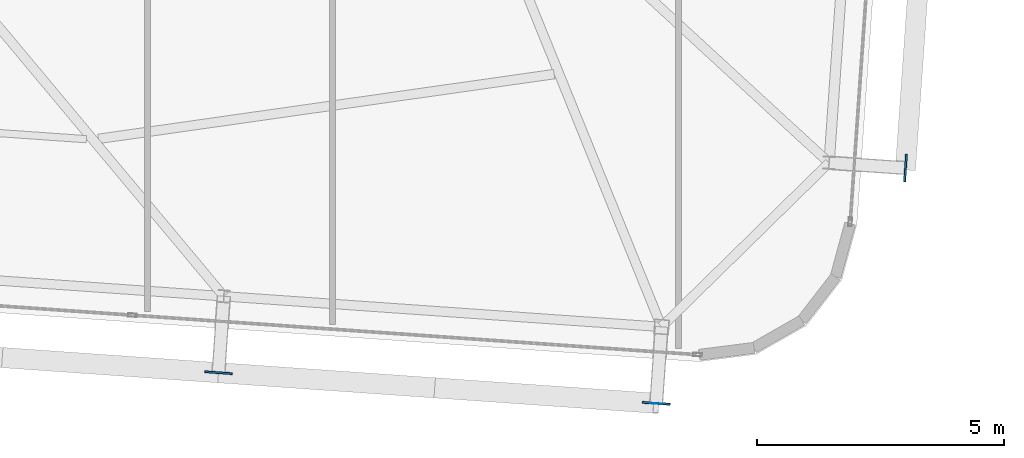
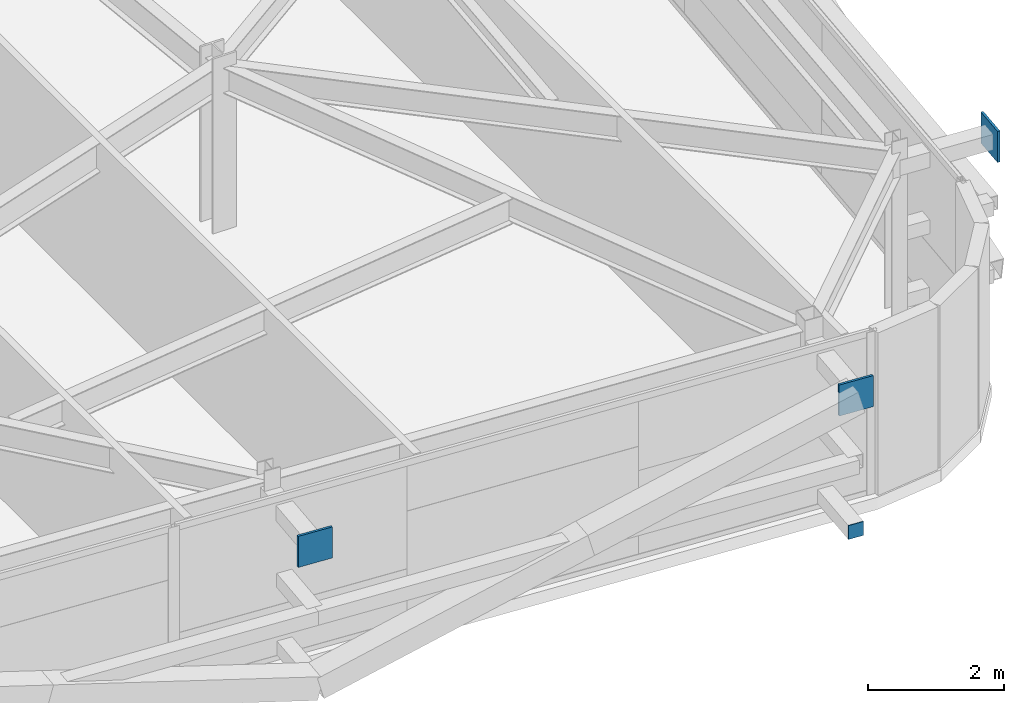
# One storey, part 30 of 39: 4 plates.
"""IFC4 building model written with IfcOpenShell, lengths in metres."""

from ifc_helpers import new_model, si_unit, direction, frame, origin, origin_2d, place, context, subcontext, project, spatial, rectangle, extrude, source, transform, mapped, material, layer, layer_set, type_object, element, save


model = new_model("IFC4")

# Units and contexts
model_context = context("Model", 3, precision=1e-05, world=origin(), true_north=direction((0.0, 1.0)))
body_context = subcontext(model_context, "Body", "Model", "MODEL_VIEW")
ifc_project = project(units=[si_unit("LENGTHUNIT", "METRE"), si_unit("AREAUNIT", "SQUARE_METRE"), si_unit("VOLUMEUNIT", "CUBIC_METRE"), si_unit("PLANEANGLEUNIT", "RADIAN"), si_unit("MASSUNIT", "GRAM", prefix="KILO")], contexts=[model_context])

# Site, building, storey
site_placement = place(None, origin())
site = spatial("IfcSite", under=ifc_project, at=site_placement, CompositionType="ELEMENT")
building_placement = place(site_placement, origin())
building = spatial("IfcBuilding", under=site, at=building_placement, Name="Taldren Reach Tower", CompositionType="ELEMENT")
storey_placement = place(building_placement, frame((0.0, 0.0, 151.89990234375)))
storey = spatial("IfcBuildingStorey", under=building, at=storey_placement, Name="L46", CompositionType="ELEMENT", Elevation=151.89990234375)

# Plates
ifc_material_1 = material(Name="Steel Gr 450 (C450L0)", Category="steel")
ifc_layer_1 = layer(ifc_material_1, 0.0400390625)
ifc_layer_set_1 = layer_set([ifc_layer_1], Name="Steel Gr 450 (C450L0)")
plate_type_1 = type_object("IfcPlateType", Name="PL-GUSSET-40", PredefinedType="SHEET", material=ifc_layer_set_1)
shared_shape_1 = source(origin(), body_context, "Body", "SweptSolid", [
    extrude(rectangle(XDim=0.56005859375, YDim=0.0400390625, at=origin_2d()), origin(), (0.0, 0.0, 1.0), 0.56005859375),
])
for number, where, z_axis, x_axis, name in (
    (1, (47.18896484375, 1.314453125, 2.3701171875), (0.0, 0.0, 1.0), (0.99756405026, -0.069756473744, 0.0), "Exoskeleton star-node gusset plate B3-S5 L46"),
    (2, (56.04736328125, 0.695068359375, 2.3701171875), (0.0, 0.0, 1.0), (0.99756405026, -0.069756473744, 0.0), "Exoskeleton star-node gusset plate B3-S6 L46"),
    (3, (61.091552734375, 5.454833984375, 2.3701171875), (0.0, 0.0, 1.0), (0.069756473744, 0.99756405026, 0.0), "Exoskeleton star-node gusset plate B3-E1 L46"),
):
    element("IfcPlate", number, at=place(storey_placement, frame(where, z_axis=z_axis, x_axis=x_axis)), inside=storey, type_object=plate_type_1, Name=name, PredefinedType="SHEET", context=body_context, shape_type="MappedRepresentation", body=[
        mapped(shared_shape_1, transform((0.0, 0.0, 0.0), scale=1.0)),
    ])
ifc_material_2 = material(Name="Steel Gr 350 (C350L0)", Category="steel")
ifc_layer_2 = layer(ifc_material_2, 0.011962890625)
ifc_layer_set_2 = layer_set([ifc_layer_2], Name="Steel Gr 350 (C350L0)")
plate_type_2 = type_object("IfcPlateType", Name="PL-CAP-250", PredefinedType="SHEET", material=ifc_layer_set_2)
shared_shape_2 = source(origin(), body_context, "Body", "SweptSolid", [
    extrude(rectangle(XDim=0.25, YDim=0.011962890625, at=origin_2d()), origin(), (0.0, 0.0, 1.0), 0.25),
])
plate_placement = place(storey_placement, frame((56.046875, 0.68896484375, 0.09521484375), z_axis=(0.0, 0.0, 1.0), x_axis=(0.99756405026, -0.069756473744, 0.0)))
element("IfcPlate", 4, at=plate_placement, inside=storey, type_object=plate_type_2, Name="Tie strut end cap plate B3-S6 L46", PredefinedType="SHEET", context=body_context, shape_type="MappedRepresentation", body=[
    mapped(shared_shape_2, transform((0.0, 0.0, 0.0), scale=1.0)),
])

save(model, "model.ifc")
